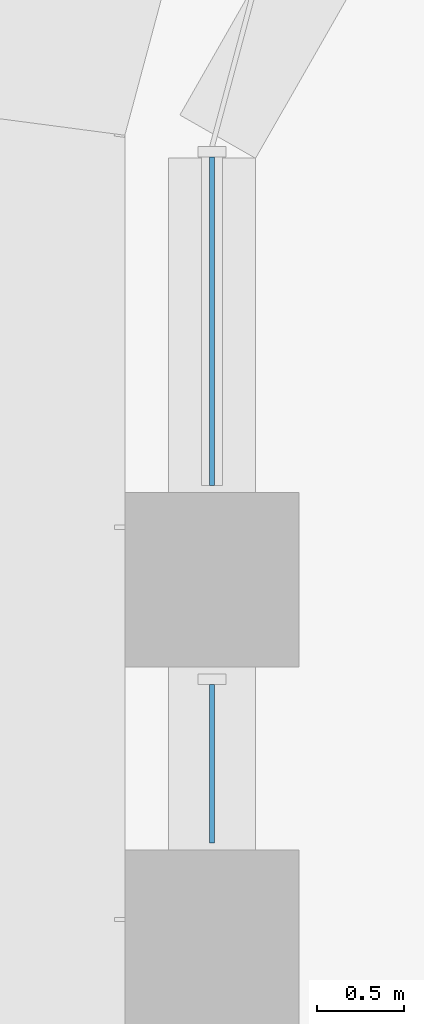
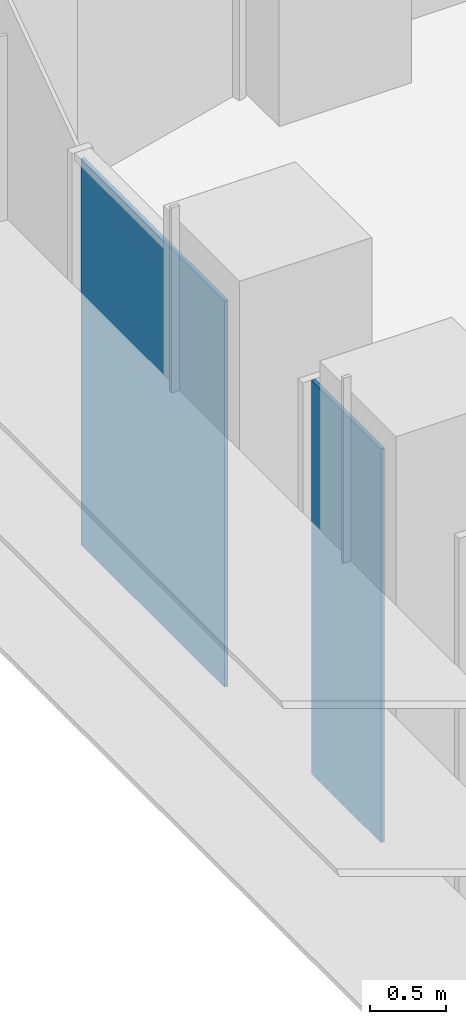
# One storey, part 14 of 23: 2 plates, 1 element without a shape of its own.
"""IFC4 building model written with IfcOpenShell, lengths in metres."""

from ifc_helpers import new_model, si_unit, direction, frame, origin, place, context, subcontext, project, spatial, polyline, outline, extrude, source, transform, mapped, material, layer, layer_set, type_object, element, aggregate, save


model = new_model("IFC4")

# Units and contexts
model_context = context("Model", 3, precision=1e-05, world=origin(), true_north=direction((0.0, 1.0)))
body_context = subcontext(model_context, "Body", "Model", "MODEL_VIEW")
ifc_project = project(units=[si_unit("LENGTHUNIT", "METRE"), si_unit("AREAUNIT", "SQUARE_METRE"), si_unit("VOLUMEUNIT", "CUBIC_METRE"), si_unit("PLANEANGLEUNIT", "RADIAN"), si_unit("MASSUNIT", "GRAM", prefix="KILO")], contexts=[model_context])

# Site, building, storey
site_placement = place(None, origin())
site = spatial("IfcSite", under=ifc_project, at=site_placement, CompositionType="ELEMENT")
building_placement = place(site_placement, origin())
building = spatial("IfcBuilding", under=site, at=building_placement, Name="Zarbagh Exchange Tower", CompositionType="ELEMENT")
storey_placement = place(building_placement, frame((0.0, 0.0, 60.60009765625)))
storey = spatial("IfcBuildingStorey", under=building, at=storey_placement, Name="L13", CompositionType="ELEMENT", Elevation=60.60009765625)

# Curtain wall, plates
ifc_material_1 = material(Name="Anodised aluminium frame and glazing", Category="aluminium")
curtain_wall_type = type_object("IfcCurtainWallType", Name="CWA Ribbon glazing, lower zones", PredefinedType="NOTDEFINED", material=ifc_material_1)
curtain_wall_placement = place(storey_placement, origin())
curtain_wall = element("IfcCurtainWall", 1, at=curtain_wall_placement, inside=storey, type_object=curtain_wall_type, Name="CWA28 curtain wall", PredefinedType="NOTDEFINED")
ifc_material_2 = material(Name="Low-e double glazed unit, 6+12+6 mm")
ifc_layer = layer(ifc_material_2, 0.028076171875)
ifc_layer_set = layer_set([ifc_layer], Name="PAA Glazing panel, Low-e double glazed unit, 6+12+6 mm")
plate_type = type_object("IfcPlateType", Name="PAA Glazing panel, Low-e double glazed unit, 6+12+6 mm", PredefinedType="CURTAIN_PANEL", material=ifc_layer_set)
shared_shape_1 = source(origin(), body_context, "Body", "SweptSolid", [
    extrude(outline(polyline([(0.0, -0.013916015625), (0.909912109375, -0.013916015625), (0.909912109375, 0.013916015625), (0.0, 0.013916015625), (0.0, -0.013916015625)])), origin(), (0.0, 0.0, 1.0), 3.14990234375),
])
placement = place(storey_placement, origin())
plate_1 = element("IfcPlate", 2, at=placement, type_object=plate_type, Name="CWA28 glazing panel 2.1", PredefinedType="CURTAIN_PANEL", context=body_context, shape_type="MappedRepresentation", body=[
    mapped(shared_shape_1, transform((-6.25, 26.099853515625, 0.0), x_axis=(0.0, -1.0, 0.0), y_axis=(1.0, 0.0, 0.0), z_axis=(0.0, 0.0, 1.0))),
])
shared_shape_2 = source(origin(), body_context, "Body", "SweptSolid", [
    extrude(outline(polyline([(0.0, -0.013916015625), (1.88427734375, -0.013916015625), (1.88427734375, 0.013916015625), (0.0, 0.013916015625), (0.0, -0.013916015625)])), origin(), (0.0, 0.0, 1.0), 3.090087890625),
])
plate_2 = element("IfcPlate", 3, at=placement, type_object=plate_type, Name="CWA28 glazing panel 1.1", PredefinedType="CURTAIN_PANEL", context=body_context, shape_type="MappedRepresentation", body=[
    mapped(shared_shape_2, transform((-6.25, 29.124267578125, 0.0), x_axis=(0.0, -1.0, 0.0), y_axis=(1.0, 0.0, 0.0), z_axis=(0.0, 0.0, 1.0))),
])
aggregate(curtain_wall, [plate_2, plate_1])

save(model, "model.ifc")
